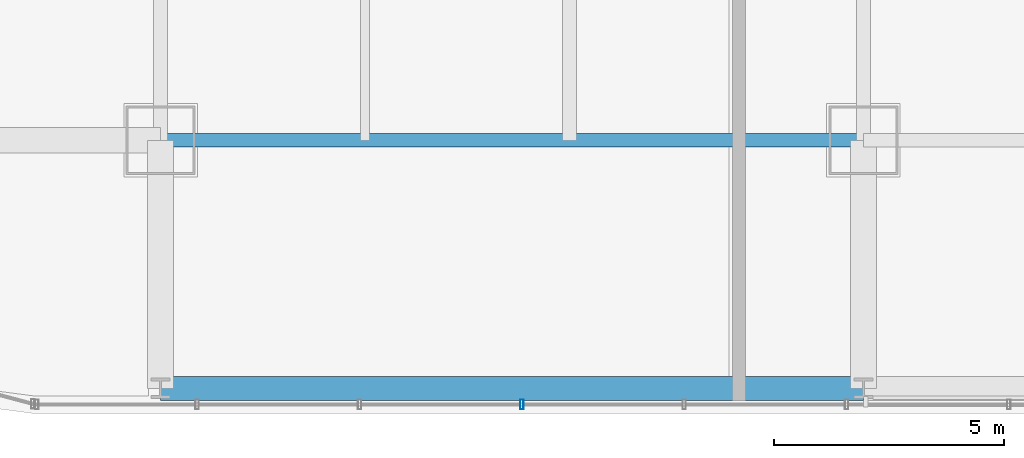
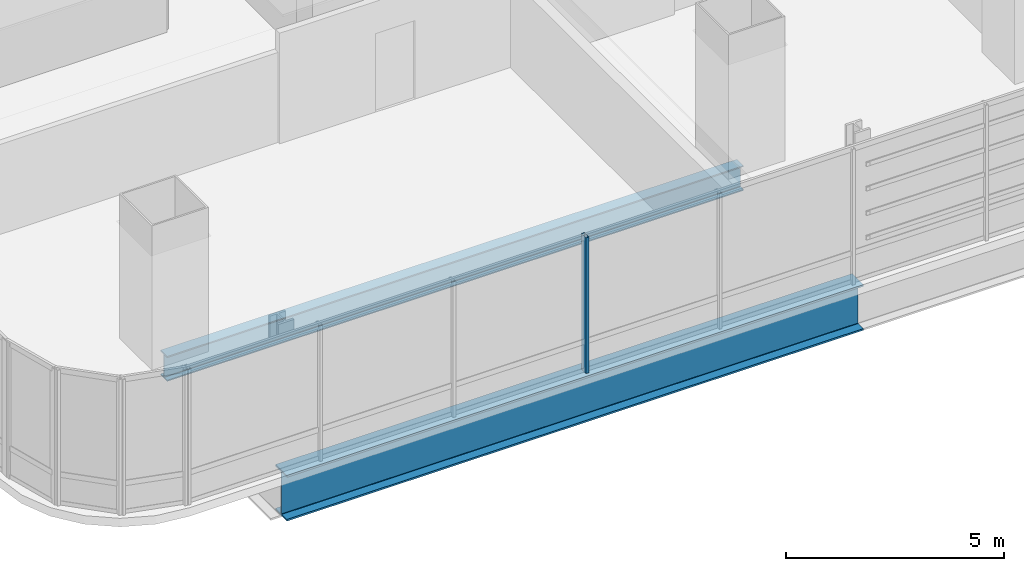
# One storey, part 3 of 36: 2 beams, 1 member, 1 element without a shape of its own.
"""IFC4 building model written with IfcOpenShell, lengths in metres."""

from ifc_helpers import new_model, si_unit, direction, frame, origin, origin_2d, place, context, subcontext, project, spatial, hollow_rectangle, i_section, extrude, material, material_profile, profile_set, type_object, element, aggregate, save


model = new_model("IFC4")

# Units and contexts
model_context = context("Model", 3, precision=1e-05, world=origin(), true_north=direction((0.0, 1.0)))
body_context = subcontext(model_context, "Body", "Model", "MODEL_VIEW")
ifc_project = project(units=[si_unit("LENGTHUNIT", "METRE"), si_unit("AREAUNIT", "SQUARE_METRE"), si_unit("VOLUMEUNIT", "CUBIC_METRE"), si_unit("PLANEANGLEUNIT", "RADIAN"), si_unit("MASSUNIT", "GRAM", prefix="KILO")], contexts=[model_context])

# Site, building, storey
site_placement = place(None, origin())
site = spatial("IfcSite", under=ifc_project, at=site_placement, CompositionType="ELEMENT")
building_placement = place(site_placement, origin())
building = spatial("IfcBuilding", under=site, at=building_placement, Name="Punatoya Terracotta Tower", CompositionType="ELEMENT")
storey_placement = place(building_placement, frame((0.0, 0.0, 48.449951171875)))
storey = spatial("IfcBuildingStorey", under=building, at=storey_placement, Name="L10", CompositionType="ELEMENT", Elevation=48.449951171875)

# Beams
ifc_material_1 = material(Name="Steel S355", Category="steel")
ifc_material_profile_1 = material_profile(ifc_material_1, i_section(OverallWidth=0.300048828125, OverallDepth=0.699951171875, WebThickness=0.01708984375, FlangeThickness=0.031982421875, FilletRadius=0.01806640625, at=origin_2d()))
ifc_profile_set_1 = profile_set([ifc_material_profile_1], Name="Steel S355")
beam_type_1 = type_object("IfcBeamType", Name="BM-PRI-700", PredefinedType="BEAM", material=ifc_profile_set_1)
beam_1_placement = place(storey_placement, frame((-19.10009765625, -17.5, -0.58984375), z_axis=(1.0, 0.0, 0.0), x_axis=(0.0, 1.0, 0.0)))
element("IfcBeam", 1, at=beam_1_placement, inside=storey, type_object=beam_type_1, Name="BM-L10-RG-S1", PredefinedType="BEAM", context=body_context, shape_type="SweptSolid", body=[
    extrude(i_section(OverallWidth=0.300048828125, OverallDepth=0.699951171875, WebThickness=0.01708984375, FlangeThickness=0.031982421875, FilletRadius=0.01806640625, at=origin_2d()), origin(), (0.0, 0.0, 1.0), 15.300048828125),
])
ifc_material_2 = material(Name="Steel S460", Category="steel")
ifc_material_profile_2 = material_profile(ifc_material_2, i_section(OverallWidth=0.52001953125, OverallDepth=1.280029296875, WebThickness=0.031982421875, FlangeThickness=0.050048828125, FilletRadius=0.01806640625, at=origin_2d()))
ifc_profile_set_2 = profile_set([ifc_material_profile_2], Name="Steel S460")
beam_type_2 = type_object("IfcBeamType", Name="BM-TG-NCK", PredefinedType="BEAM", material=ifc_profile_set_2)
beam_2_placement = place(storey_placement, frame((-19.10009765625, -22.89990234375, -0.8798828125), z_axis=(1.0, 0.0, 0.0), x_axis=(0.0, 1.0, 0.0)))
element("IfcBeam", 2, at=beam_2_placement, inside=storey, type_object=beam_type_2, Name="BM-L10-PER-S1", PredefinedType="BEAM", context=body_context, shape_type="SweptSolid", body=[
    extrude(i_section(OverallWidth=0.52001953125, OverallDepth=1.280029296875, WebThickness=0.031982421875, FlangeThickness=0.050048828125, FilletRadius=0.01806640625, at=origin_2d()), origin(), (0.0, 0.0, 1.0), 15.300048828125),
])

# Curtain wall, member
ifc_material_3 = material(Name="Aluminium 6063-T6 + Double Low-E Glass", Category="aluminium")
curtain_wall_type = type_object("IfcCurtainWallType", Name="CW-M1", PredefinedType="NOTDEFINED", material=ifc_material_3)
curtain_wall_placement = place(storey_placement, origin())
curtain_wall = element("IfcCurtainWall", 3, at=curtain_wall_placement, inside=storey, type_object=curtain_wall_type, Name="L10 Curtain Wall CW-L10-S01-1", PredefinedType="NOTDEFINED")
ifc_material_4 = material(Name="Aluminium 6063-T6", Category="aluminium")
ifc_material_profile_3 = material_profile(ifc_material_4, hollow_rectangle(XDim=0.074951171875, YDim=0.2099609375, WallThickness=0.00439453125, at=origin_2d()))
ifc_profile_set_3 = profile_set([ifc_material_profile_3], Name="Aluminium 6063-T6")
member_type = type_object("IfcMemberType", Name="CW-MUL-M1", PredefinedType="MULLION", material=ifc_profile_set_3)
member_placement = place(storey_placement, frame((-11.235107421875, -23.25, 0.0), z_axis=(0.0, 0.0, 1.0), x_axis=(1.0, 0.0, 0.0)))
member = element("IfcMember", 4, at=member_placement, type_object=member_type, Name="CW-L10-S01-1 Mullion 03", PredefinedType="MULLION", context=body_context, shape_type="SweptSolid", body=[
    extrude(hollow_rectangle(XDim=0.074951171875, YDim=0.2099609375, WallThickness=0.00439453125, at=origin_2d()), origin(), (0.0, 0.0, 1.0), 3.81005859375),
])
aggregate(curtain_wall, [member])

save(model, "model.ifc")
